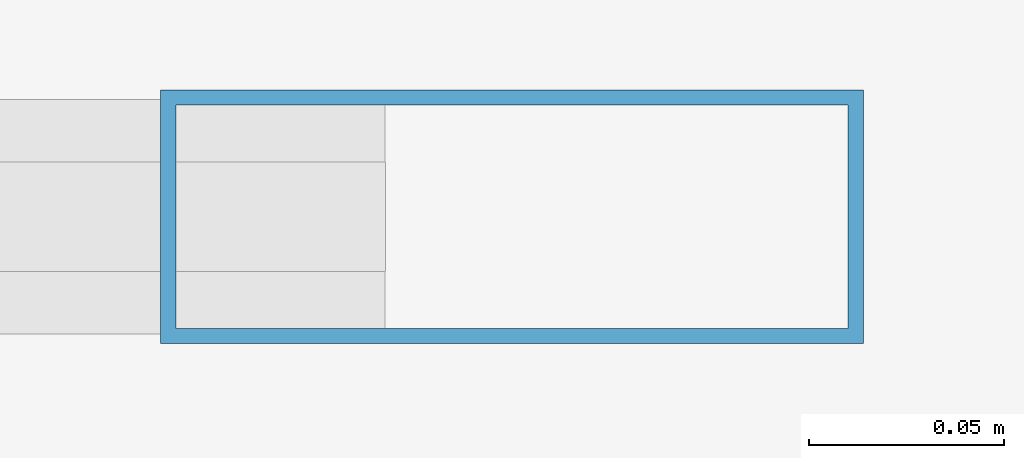
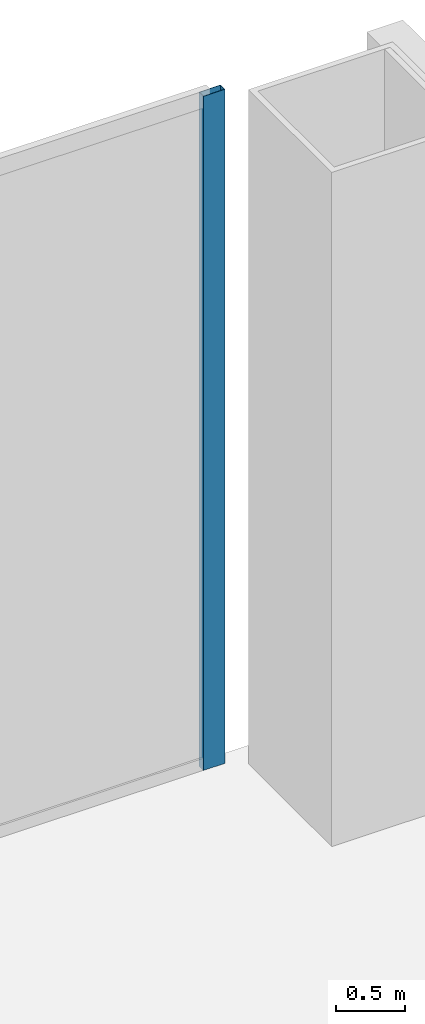
# One storey, part 31 of 41: 1 member, 1 element without a shape of its own.
"""IFC4 building model written with IfcOpenShell, lengths in metres."""

import ifcopenshell
import ifcopenshell.guid

model = None  # the IFC model being written
_history = None  # IfcOwnerHistory: only IFC2X3 demands one
_inside = {}  # id of a spatial element -> (the spatial element, [elements in it])
_under = {}  # id of a project, library or spatial element -> (it, [spatial elements below it])
_declared = {}  # id of a project -> (the project, [libraries it declares])
_typed = {}  # id of a type object -> (the type object, [elements of that type])
_made_of = {}  # id of a material, layer set ... -> (it, [elements and type objects made of it])


def new_model(schema):
    """Start an empty IFC model of exactly this schema.

    Asked for "IFC4X3", IfcOpenShell would pick the latest addendum, in which some entities
    have other attributes; the version numbers below select the first issue.
    IFC2X3 requires an IfcOwnerHistory on every rooted entity: one is made here for all.
    """
    global model, _history
    if schema == "IFC4X3":
        model = ifcopenshell.file(schema_version=(4, 3, 0, 0))
    else:
        model = ifcopenshell.file(schema=schema)
    _inside.clear()
    _under.clear()
    _declared.clear()
    _typed.clear()
    _made_of.clear()
    _history = None
    if model.schema == "IFC2X3":
        org = make("IfcOrganization", Name="unknown")
        user = make(
            "IfcPersonAndOrganization",
            ThePerson=make("IfcPerson", FamilyName="unknown"),
            TheOrganization=org,
        )
        app = make(
            "IfcApplication",
            ApplicationDeveloper=org,
            Version="unknown",
            ApplicationFullName="unknown",
            ApplicationIdentifier="unknown",
        )
        _history = make(
            "IfcOwnerHistory",
            OwningUser=user,
            OwningApplication=app,
            ChangeAction="ADDED",
            CreationDate=0,
        )
    return model


def make(cls, **values):
    """One entity of the class cls with the attributes given. An attribute that is None is left unset."""
    return model.create_entity(
        cls, **{name: value for name, value in values.items() if value is not None}
    )


def rooted(cls, **values):
    """An entity with a GlobalId (a new one), such as an element, a storey or a relation."""
    return make(cls, GlobalId=ifcopenshell.guid.new(), OwnerHistory=_history, **values)


def si_unit(unit_type, name, prefix=None):
    """IfcSIUnit, for example si_unit("LENGTHUNIT", "METRE", prefix="MILLI")."""
    return make("IfcSIUnit", UnitType=unit_type, Prefix=prefix, Name=name)


def assignment(units):
    """IfcUnitAssignment: the units of a project."""
    return None if units is None else make("IfcUnitAssignment", Units=units)


def point(xyz):
    """IfcCartesianPoint."""
    return None if xyz is None else make("IfcCartesianPoint", Coordinates=xyz)


def direction(xyz):
    """IfcDirection."""
    return None if xyz is None else make("IfcDirection", DirectionRatios=xyz)


def frame(location, z_axis=None, x_axis=None):
    """IfcAxis2Placement3D, a coordinate frame: its origin and axes. An axis left out is left unset."""
    return make(
        "IfcAxis2Placement3D",
        Location=point(location),
        Axis=direction(z_axis),
        RefDirection=direction(x_axis),
    )


def frame_2d(location, x_axis=None):
    """IfcAxis2Placement2D, a coordinate frame in the plane: its origin and x axis."""
    return make(
        "IfcAxis2Placement2D", Location=point(location), RefDirection=direction(x_axis)
    )


def origin():
    """The frame at (0, 0, 0) with its axes left unset."""
    return frame((0.0, 0.0, 0.0))


def origin_2d():
    """The frame at (0, 0) in the plane with its x axis left unset."""
    return frame_2d((0.0, 0.0))


def place(relative_to, where):
    """IfcLocalPlacement: puts the frame where relative to a parent placement (None: the world)."""
    return make(
        "IfcLocalPlacement", PlacementRelTo=relative_to, RelativePlacement=where
    )


def context(
    kind, dimensions, precision=None, world=None, true_north=None, identifier=None
):
    """IfcGeometricRepresentationContext, for example the 3D "Model" context."""
    return make(
        "IfcGeometricRepresentationContext",
        ContextIdentifier=identifier,
        ContextType=kind,
        CoordinateSpaceDimension=dimensions,
        Precision=precision,
        WorldCoordinateSystem=world,
        TrueNorth=true_north,
    )


def subcontext(parent, identifier, kind, view, scale=None):
    """IfcGeometricRepresentationSubContext, for example "Body" below "Model"."""
    return make(
        "IfcGeometricRepresentationSubContext",
        ContextIdentifier=identifier,
        ContextType=kind,
        ParentContext=parent,
        TargetScale=scale,
        TargetView=view,
    )


def project(units=None, contexts=None):
    """IfcProject with its units and contexts."""
    return rooted(
        "IfcProject",
        Name="project",
        RepresentationContexts=contexts,
        UnitsInContext=assignment(units),
    )


def spatial(cls, under=None, at=None, **own):
    """A site, building, storey or space (cls), placed at a placement, below another one or the project."""
    s = rooted(cls, ObjectPlacement=at, **own)
    if under is not None:
        _under.setdefault(under.id(), (under, []))[1].append(s)
    return s


def profile(cls, at=None, kind="AREA", **sizes):
    """A parametric profile (cls). Its sizes go by their IFC names, for example OverallWidth=200.0."""
    return make(cls, ProfileType=kind, Position=at, **sizes)


def hollow_rectangle(**sizes):
    """IfcRectangleHollowProfileDef."""
    return profile("IfcRectangleHollowProfileDef", **sizes)


def extrude(swept, where, along, depth):
    """IfcExtrudedAreaSolid: the profile swept, set in the frame where, extruded along a direction by depth."""
    return make(
        "IfcExtrudedAreaSolid",
        SweptArea=swept,
        Position=where,
        ExtrudedDirection=direction(along),
        Depth=depth,
    )


def shape(context_of_items, identifier, shape_type, items):
    """IfcShapeRepresentation: the items that make up one representation, for example the "Body"."""
    return make(
        "IfcShapeRepresentation",
        ContextOfItems=context_of_items,
        RepresentationIdentifier=identifier,
        RepresentationType=shape_type,
        Items=items,
    )


def source(mapping_origin, context_of_items, identifier, shape_type, items):
    """IfcRepresentationMap: a shape defined once, which mapped items show again and again."""
    return make(
        "IfcRepresentationMap",
        MappingOrigin=mapping_origin,
        MappedRepresentation=shape(context_of_items, identifier, shape_type, items),
    )


def transform(
    local_origin,
    x_axis=None,
    y_axis=None,
    z_axis=None,
    scale=None,
    scale2=None,
    scale3=None,
    uniform=True,
):
    """IfcCartesianTransformationOperator3D, or its non-uniform kind. x_axis, y_axis, z_axis: its Axis1, 2, 3."""
    if uniform:
        return make(
            "IfcCartesianTransformationOperator3D",
            Axis1=direction(x_axis),
            Axis2=direction(y_axis),
            LocalOrigin=point(local_origin),
            Scale=scale,
            Axis3=direction(z_axis),
        )
    return make(
        "IfcCartesianTransformationOperator3DnonUniform",
        Axis1=direction(x_axis),
        Axis2=direction(y_axis),
        LocalOrigin=point(local_origin),
        Scale=scale,
        Axis3=direction(z_axis),
        Scale2=scale2,
        Scale3=scale3,
    )


def mapped(mapping_source, mapping_target):
    """IfcMappedItem: shows the shape of a source again, moved by a transform."""
    return make(
        "IfcMappedItem", MappingSource=mapping_source, MappingTarget=mapping_target
    )


def material(Name=None, Category=None):
    """IfcMaterial."""
    return make("IfcMaterial", Name=Name, Category=Category)


def layer(
    of_material, thickness, ventilated=None, Name=None, Category=None, Priority=None
):
    """IfcMaterialLayer: one layer of a wall or slab, of a material (None: an air gap)."""
    return make(
        "IfcMaterialLayer",
        Material=of_material,
        LayerThickness=thickness,
        IsVentilated=ventilated,
        Name=Name,
        Category=Category,
        Priority=Priority,
    )


def layer_set(layers, Name=None):
    """IfcMaterialLayerSet."""
    return make("IfcMaterialLayerSet", MaterialLayers=layers, LayerSetName=Name)


def material_profile(
    of_material, cross_section, Name=None, Category=None, Priority=None
):
    """IfcMaterialProfile: a cross section and its material."""
    return make(
        "IfcMaterialProfile",
        Name=Name,
        Material=of_material,
        Profile=cross_section,
        Priority=Priority,
        Category=Category,
    )


def profile_set(profiles, Name=None, composite=None):
    """IfcMaterialProfileSet."""
    return make(
        "IfcMaterialProfileSet",
        Name=Name,
        MaterialProfiles=profiles,
        CompositeProfile=composite,
    )


def made_of(thing, what):
    """Note that an element or type object is made of a material, layer set ...; save() writes the relation."""
    if what is not None:
        _made_of.setdefault(what.id(), (what, []))[1].append(thing)
    return thing


def type_object(cls, material=None, **own):
    """A type object (cls), such as IfcWallType, which elements share."""
    return made_of(rooted(cls, **own), material)


def element(
    cls,
    number,
    at=None,
    inside=None,
    cuts=None,
    type_object=None,
    material=None,
    context=None,
    identifier="Body",
    shape_type=None,
    held_by="IfcProductDefinitionShape",
    body=None,
    shapes=None,
    **own,
):
    """One element of the class cls, such as IfcWall. Its Tag is "e" and its number.

    at: its placement. inside: the storey or other place that contains it. cuts: it is an
    opening in that element (IfcRelVoidsElement). A single representation is given by context,
    identifier, shape_type and body (its items); several are given by shapes. held_by: the class
    of the entity that holds the representations. save() writes the other relations.
    """
    e = rooted(cls, Tag="e%d" % number, ObjectPlacement=at, **own)
    if body is not None:
        shapes = [shape(context, identifier, shape_type, body)]
    if shapes is not None:
        e.Representation = make(held_by, Representations=shapes)
    if inside is not None:
        _inside.setdefault(inside.id(), (inside, []))[1].append(e)
    if cuts is not None:
        rooted(
            "IfcRelVoidsElement", RelatingBuildingElement=cuts, RelatedOpeningElement=e
        )
    if type_object is not None:
        _typed.setdefault(type_object.id(), (type_object, []))[1].append(e)
    return made_of(e, material)


def aggregate(whole, parts):
    """IfcRelAggregates: a whole, such as a stair, and the parts it consists of."""
    return rooted("IfcRelAggregates", RelatingObject=whole, RelatedObjects=parts)


def save(model, path):
    """Write the relations noted so far, then the file.

    IfcRelAggregates (storeys below a building ...), IfcRelContainedInSpatialStructure (elements
    in a storey), IfcRelDefinesByType, IfcRelAssociatesMaterial and IfcRelDeclares: one each for
    every whole, place, type object, material and project.
    """
    for whole, parts in _under.values():
        aggregate(whole, parts)
    for where, things in _inside.values():
        rooted(
            "IfcRelContainedInSpatialStructure",
            RelatedElements=things,
            RelatingStructure=where,
        )
    for kind, things in _typed.values():
        rooted("IfcRelDefinesByType", RelatedObjects=things, RelatingType=kind)
    for what, things in _made_of.values():
        rooted("IfcRelAssociatesMaterial", RelatedObjects=things, RelatingMaterial=what)
    for by, libraries in _declared.values():
        rooted("IfcRelDeclares", RelatingContext=by, RelatedDefinitions=libraries)
    model.write(path)


model = new_model("IFC4")

# Units and contexts
model_context = context("Model", 3, precision=1e-05, world=origin(), true_north=direction((0.0, 1.0)))
body_context = subcontext(model_context, "Body", "Model", "MODEL_VIEW")
ifc_project = project(units=[si_unit("LENGTHUNIT", "METRE"), si_unit("AREAUNIT", "SQUARE_METRE"), si_unit("VOLUMEUNIT", "CUBIC_METRE"), si_unit("PLANEANGLEUNIT", "RADIAN"), si_unit("MASSUNIT", "GRAM", prefix="KILO"), si_unit("THERMODYNAMICTEMPERATUREUNIT", "KELVIN"), si_unit("POWERUNIT", "WATT")], contexts=[model_context])

# Site, building, storey
site_placement = place(None, origin())
site = spatial("IfcSite", under=ifc_project, at=site_placement, CompositionType="ELEMENT")
building_placement = place(site_placement, origin())
building = spatial("IfcBuilding", under=site, at=building_placement, Name="Yunzhuo Pagoda Commons", CompositionType="ELEMENT")
storey_placement = place(building_placement, frame((0.0, 0.0, 19.199951171875)))
storey = spatial("IfcBuildingStorey", under=building, at=storey_placement, Name="L05", CompositionType="ELEMENT", Elevation=19.199951171875)

# Curtain wall, member
ifc_material = material(Name="Anodized aluminium 6063-T6", Category="aluminium")
ifc_layer = layer(ifc_material, 0.179931640625)
ifc_layer_set = layer_set([ifc_layer], Name="Anodized aluminium 6063-T6")
curtain_wall_type = type_object("IfcCurtainWallType", Name="CW-POD Waterfront Podium Curtain Wall", PredefinedType="NOTDEFINED", material=ifc_layer_set)
curtain_wall_placement = place(storey_placement, origin())
curtain_wall = element("IfcCurtainWall", 1, at=curtain_wall_placement, inside=storey, type_object=curtain_wall_type, Name="L05 curtain wall CW-L05-N5", PredefinedType="NOTDEFINED")
ifc_material_profile = material_profile(ifc_material, hollow_rectangle(XDim=0.06494140625, YDim=0.179931640625, WallThickness=0.00390625, at=origin_2d()), Name="Anodized aluminium 6063-T6")
ifc_profile_set = profile_set([ifc_material_profile], Name="Anodized aluminium 6063-T6")
member_type = type_object("IfcMemberType", Name="CW-POD-M Mullion RHS 180x65x4", PredefinedType="MULLION", material=ifc_profile_set)
shared_shape = source(origin(), body_context, "Body", "SweptSolid", [
    extrude(hollow_rectangle(XDim=0.06494140625, YDim=0.179931640625, WallThickness=0.00390625, at=origin_2d()), origin(), (0.0, 0.0, 1.0), 5.920166015625),
])
member_placement = place(storey_placement, frame((90.367431640625, 81.919921875, 0.0), z_axis=(0.0, 0.0, 1.0), x_axis=(0.0, 1.0, 0.0)))
member = element("IfcMember", 2, at=member_placement, type_object=member_type, Name="CW mullion 3", PredefinedType="MULLION", context=body_context, shape_type="MappedRepresentation", body=[
    mapped(shared_shape, transform((0.0, 0.0, 0.0), scale=1.0)),
])
aggregate(curtain_wall, [member])

save(model, "model.ifc")
